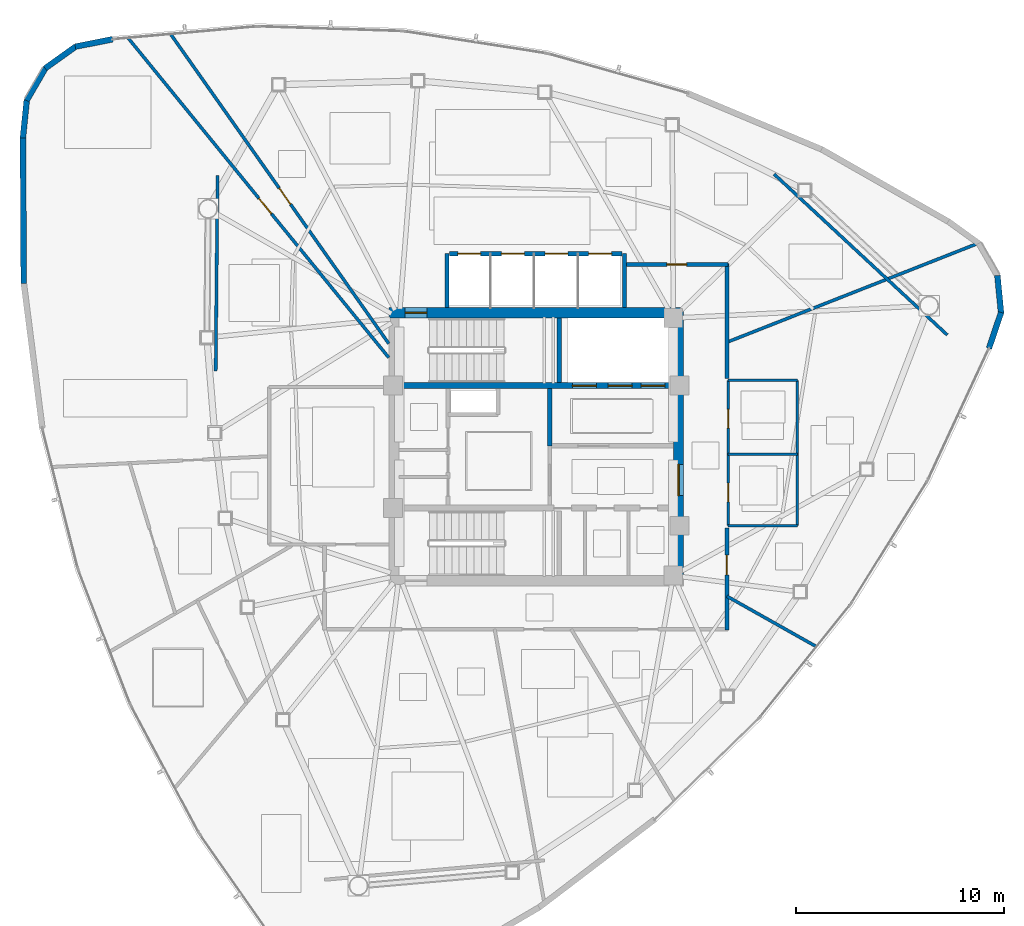
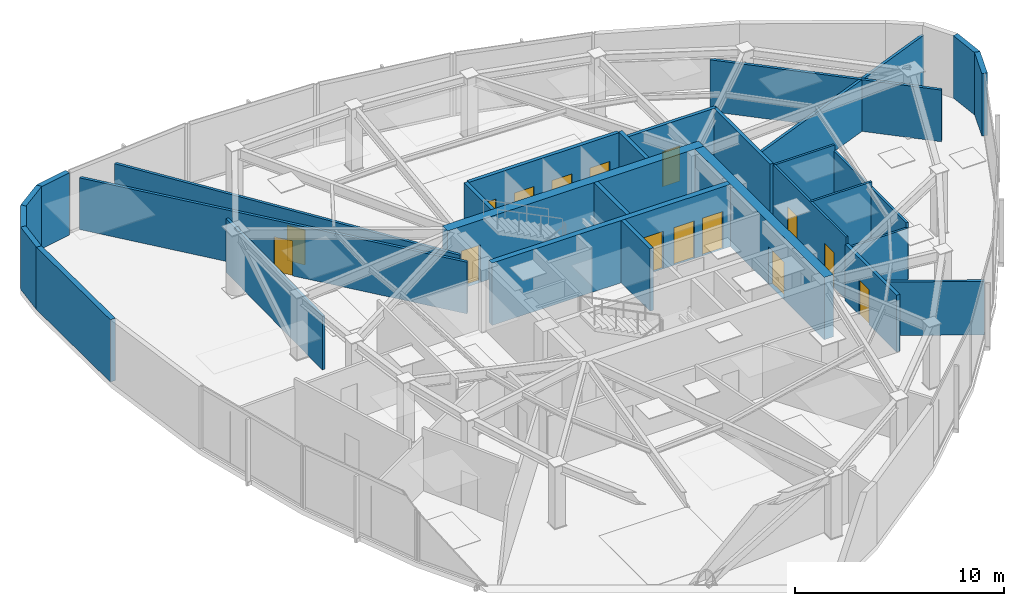
# One storey, part 9 of 13: 29 walls, 15 doors, 15 openings.
"""IFC4 building model written with IfcOpenShell, lengths in metres."""

from ifc_helpers import new_model, si_unit, direction, frame, frame_2d, origin, place, context, subcontext, project, spatial, rectangle, extrude, material, layer, layer_set, type_object, element, fill, save


model = new_model("IFC4")

# Units and contexts
model_context = context("Model", 3, precision=1e-05, world=origin(), true_north=direction((0.0, 1.0)))
body_context = subcontext(model_context, "Body", "Model", "MODEL_VIEW")
ifc_project = project(units=[si_unit("LENGTHUNIT", "METRE"), si_unit("AREAUNIT", "SQUARE_METRE"), si_unit("VOLUMEUNIT", "CUBIC_METRE"), si_unit("PLANEANGLEUNIT", "RADIAN"), si_unit("MASSUNIT", "GRAM", prefix="KILO")], contexts=[model_context])

# Site, building, storey
site_placement = place(None, origin())
site = spatial("IfcSite", under=ifc_project, at=site_placement, CompositionType="ELEMENT")
building_placement = place(site_placement, origin())
building = spatial("IfcBuilding", under=site, at=building_placement, Name="Tavelor Broadcast Tower", CompositionType="ELEMENT")
storey_placement = place(building_placement, frame((0.0, 0.0, 241.89990234375)))
storey = spatial("IfcBuildingStorey", under=building, at=storey_placement, Name="L57", CompositionType="ELEMENT", Elevation=241.89990234375)

# Wall, opening, door
ifc_material_1 = material(Name="Concrete C50/60", Category="concrete")
ifc_layer_1 = layer(ifc_material_1, 0.5)
ifc_layer_set_1 = layer_set([ifc_layer_1], Name="Concrete C50/60")
wall_type_1 = type_object("IfcWallType", Name="Core Shear Wall 500 mm", PredefinedType="SHEAR", material=ifc_layer_set_1)
wall_1_placement = place(storey_placement, frame((42.89990234375, 51.449951171875, 0.0), z_axis=(0.0, 0.0, 1.0), x_axis=(1.0, 0.0, 0.0)))
wall_1 = element("IfcWall", 1, at=wall_1_placement, inside=storey, type_object=wall_type_1, Name="L57 Central Core Shear Wall N", PredefinedType="SHEAR", context=body_context, shape_type="SweptSolid", body=[
    extrude(rectangle(XDim=14.2001953125, YDim=0.5, at=frame_2d((7.10009765625, 0.0))), origin(), (0.0, 0.0, 1.0), 3.650146484375),
])
opening_1_placement = place(wall_1_placement, frame((0.780029296875, 0.0, 0.0)))
opening_1 = element("IfcOpeningElement", 2, at=opening_1_placement, cuts=wall_1, Name="Opening DR11", PredefinedType="OPENING", context=body_context, shape_type="SweptSolid", body=[
    extrude(rectangle(XDim=1.050048828125, YDim=2.199951171875, at=frame_2d((0.52490234375, 1.10009765625))), frame((0.0, 0.260009765625, 0.0), z_axis=(0.0, -1.0, 0.0), x_axis=(1.0, 0.0, 0.0)), (0.0, 0.0, 1.0), 0.52001953125),
])
ifc_material_2 = material(Name="Steel S355", Category="steel")
door_type_1 = type_object("IfcDoorType", Name="Stair Core Fire Escape Door 1050x2200", OperationType="NOTDEFINED", PredefinedType="DOOR", material=ifc_material_2)
door_1_placement = place(opening_1_placement, origin())
door_1 = element("IfcDoor", 3, at=door_1_placement, inside=storey, type_object=door_type_1, Name="L57 Stair ST1 Protected Exit Door", OperationType="SINGLE_SWING_LEFT", OverallHeight=2.199951171875, OverallWidth=1.050048828125, PredefinedType="DOOR", context=body_context, shape_type="SweptSolid", body=[
    extrude(rectangle(XDim=1.050048828125, YDim=2.199951171875, at=frame_2d((0.52490234375, 1.10009765625))), frame((0.0, 0.02490234375, 0.0), z_axis=(0.0, -1.0, 0.0), x_axis=(1.0, 0.0, 0.0)), (0.0, 0.0, 1.0), 0.050048828125),
])
fill(opening_1, door_1)

wall_2_placement = place(storey_placement, frame((56.85009765625, 38.800048828125, 0.0), z_axis=(0.0, 0.0, 1.0), x_axis=(0.0, 1.0, 0.0)))
wall_2 = element("IfcWall", 4, at=wall_2_placement, inside=storey, type_object=wall_type_1, Name="L57 Central Core Shear Wall E", PredefinedType="SHEAR", context=body_context, shape_type="SweptSolid", body=[
    extrude(rectangle(XDim=12.39990234375, YDim=0.5, at=frame_2d((6.199951171875, 0.0))), origin(), (0.0, 0.0, 1.0), 3.650146484375),
])
opening_2_placement = place(wall_2_placement, frame((3.85009765625, 0.0, 0.0)))
opening_2 = element("IfcOpeningElement", 5, at=opening_2_placement, cuts=wall_2, Name="Opening DR14", PredefinedType="OPENING", context=body_context, shape_type="SweptSolid", body=[
    extrude(rectangle(XDim=1.5, YDim=2.199951171875, at=frame_2d((0.75, 1.10009765625))), frame((0.0, 0.260009765625, 0.0), z_axis=(0.0, -1.0, 0.0), x_axis=(1.0, 0.0, 0.0)), (0.0, 0.0, 1.0), 0.52001953125),
])
door_type_2 = type_object("IfcDoorType", Name="Firefighting Lobby Double Fire Door 1500x2200", OperationType="NOTDEFINED", PredefinedType="DOOR", material=ifc_material_2)
door_2_placement = place(opening_2_placement, origin())
door_2 = element("IfcDoor", 6, at=door_2_placement, inside=storey, type_object=door_type_2, Name="L57 Central Core Lobby Fire Door", OperationType="SINGLE_SWING_RIGHT", OverallHeight=2.199951171875, OverallWidth=1.5, PredefinedType="DOOR", context=body_context, shape_type="SweptSolid", body=[
    extrude(rectangle(XDim=1.5, YDim=2.199951171875, at=frame_2d((0.75, 1.10009765625))), frame((0.0, 0.02490234375, 0.0), z_axis=(0.0, -1.0, 0.0), x_axis=(1.0, 0.0, 0.0)), (0.0, 0.0, 1.0), 0.050048828125),
])
fill(opening_2, door_2)

# Wall, openings, doors
ifc_layer_2 = layer(ifc_material_1, 0.300048828125)
ifc_layer_set_2 = layer_set([ifc_layer_2], Name="Concrete C50/60")
wall_type_2 = type_object("IfcWallType", Name="Core Spine Shear Wall 300 mm C50", PredefinedType="SHEAR", material=ifc_layer_set_2)
wall_3_placement = place(storey_placement, frame((43.39990234375, 47.949951171875, 0.0), z_axis=(0.0, 0.0, 1.0), x_axis=(1.0, 0.0, 0.0)))
wall_3 = element("IfcWall", 7, at=wall_3_placement, inside=storey, type_object=wall_type_2, Name="L57 Central Core Shear Wall SP1", PredefinedType="SHEAR", context=body_context, shape_type="SweptSolid", body=[
    extrude(rectangle(XDim=13.2001953125, YDim=0.300048828125, at=frame_2d((6.60009765625, 0.0))), origin(), (0.0, 0.0, 1.0), 3.650146484375),
])
opening_3_placement = place(wall_3_placement, frame((8.344970703125, 0.0, 0.0)))
opening_3 = element("IfcOpeningElement", 8, at=opening_3_placement, cuts=wall_3, Name="Opening LD02", PredefinedType="OPENING", context=body_context, shape_type="SweptSolid", body=[
    extrude(rectangle(XDim=1.14990234375, YDim=2.199951171875, at=frame_2d((0.574951171875, 1.10009765625))), frame((0.0, 0.16015625, 0.0), z_axis=(0.0, -1.0, 0.0), x_axis=(1.0, 0.0, 0.0)), (0.0, 0.0, 1.0), 0.320068359375),
])
opening_4_placement = place(wall_3_placement, frame((10.06494140625, 0.0, 0.0)))
opening_4 = element("IfcOpeningElement", 9, at=opening_4_placement, cuts=wall_3, Name="Opening LD02", PredefinedType="OPENING", context=body_context, shape_type="SweptSolid", body=[
    extrude(rectangle(XDim=1.14990234375, YDim=2.199951171875, at=frame_2d((0.574951171875, 1.10009765625))), frame((0.0, 0.16015625, 0.0), z_axis=(0.0, -1.0, 0.0), x_axis=(1.0, 0.0, 0.0)), (0.0, 0.0, 1.0), 0.320068359375),
])
opening_5_placement = place(wall_3_placement, frame((11.64501953125, 0.0, 0.0)))
opening_5 = element("IfcOpeningElement", 10, at=opening_5_placement, cuts=wall_3, Name="Opening LD03", PredefinedType="OPENING", context=body_context, shape_type="SweptSolid", body=[
    extrude(rectangle(XDim=1.14990234375, YDim=2.199951171875, at=frame_2d((0.574951171875, 1.10009765625))), frame((0.0, 0.16015625, 0.0), z_axis=(0.0, -1.0, 0.0), x_axis=(1.0, 0.0, 0.0)), (0.0, 0.0, 1.0), 0.320068359375),
])
ifc_material_3 = material(Name="Reinforced Brushed Stainless Steel", Category="concrete")
door_type_3 = type_object("IfcDoorType", Name="Broadcast Goods Lift Sliding Landing Door 1250x2200", OperationType="NOTDEFINED", PredefinedType="DOOR", material=ifc_material_3)
door_3_placement = place(opening_5_placement, origin())
door_3 = element("IfcDoor", 11, at=door_3_placement, inside=storey, type_object=door_type_3, Name="L57 Lift SVL1 Sliding Landing Door", OperationType="SLIDING_TO_LEFT", OverallHeight=2.199951171875, OverallWidth=1.14990234375, PredefinedType="DOOR", context=body_context, shape_type="SweptSolid", body=[
    extrude(rectangle(XDim=1.14990234375, YDim=2.199951171875, at=frame_2d((0.574951171875, 1.10009765625))), frame((0.0, 0.02490234375, 0.0), z_axis=(0.0, -1.0, 0.0), x_axis=(1.0, 0.0, 0.0)), (0.0, 0.0, 1.0), 0.050048828125),
])
fill(opening_5, door_3)
ifc_material_4 = material(Name="Fire-Rated Stainless Steel", Category="steel")
door_type_4 = type_object("IfcDoorType", Name="Firefighting Lift Sliding Landing Door 1200x2200", OperationType="NOTDEFINED", PredefinedType="DOOR", material=ifc_material_4)
door_4_placement = place(opening_3_placement, origin())
door_4 = element("IfcDoor", 12, at=door_4_placement, inside=storey, type_object=door_type_4, Name="L57 Lift FFL1 Sliding Landing Door", OperationType="SLIDING_TO_LEFT", OverallHeight=2.199951171875, OverallWidth=1.14990234375, PredefinedType="DOOR", context=body_context, shape_type="SweptSolid", body=[
    extrude(rectangle(XDim=1.14990234375, YDim=2.199951171875, at=frame_2d((0.574951171875, 1.10009765625))), frame((0.0, 0.02490234375, 0.0), z_axis=(0.0, -1.0, 0.0), x_axis=(1.0, 0.0, 0.0)), (0.0, 0.0, 1.0), 0.050048828125),
])
fill(opening_3, door_4)
door_5_placement = place(opening_4_placement, origin())
door_5 = element("IfcDoor", 13, at=door_5_placement, inside=storey, type_object=door_type_4, Name="L57 Lift FFL2 Sliding Landing Door", OperationType="SLIDING_TO_LEFT", OverallHeight=2.199951171875, OverallWidth=1.14990234375, PredefinedType="DOOR", context=body_context, shape_type="SweptSolid", body=[
    extrude(rectangle(XDim=1.14990234375, YDim=2.199951171875, at=frame_2d((0.574951171875, 1.10009765625))), frame((0.0, 0.02490234375, 0.0), z_axis=(0.0, -1.0, 0.0), x_axis=(1.0, 0.0, 0.0)), (0.0, 0.0, 1.0), 0.050048828125),
])
fill(opening_4, door_5)

# Wall, opening, door
ifc_material_5 = material(Name="Calcium Silicate Fire Board 180 mm", Category="gypsum")
ifc_layer_3 = layer(ifc_material_5, 0.179931640625)
ifc_layer_set_3 = layer_set([ifc_layer_3], Name="Calcium Silicate Fire Board 180 mm")
wall_type_3 = type_object("IfcWallType", Name="Fire-Rated Corridor Partition Wall 180 mm", PredefinedType="PARTITIONING", material=ifc_layer_set_3)
wall_4_placement = place(storey_placement, frame((54.300048828125, 53.780029296875, 0.0), z_axis=(0.0, 0.0, 1.0), x_axis=(1.0, 0.0, 0.0)))
wall_4 = element("IfcWall", 14, at=wall_4_placement, inside=storey, type_object=wall_type_3, Name="L57 Corridor Compartment Wall 01", PredefinedType="PARTITIONING", context=body_context, shape_type="SweptSolid", body=[
    extrude(rectangle(XDim=4.929931640625, YDim=0.179931640625, at=frame_2d((2.46484375, 0.0))), origin(), (0.0, 0.0, 1.0), 3.650146484375),
])
opening_6_placement = place(wall_4_placement, frame((1.989990234375, 0.0, 0.0)))
opening_6 = element("IfcOpeningElement", 15, at=opening_6_placement, cuts=wall_4, Name="Opening DR18", PredefinedType="OPENING", context=body_context, shape_type="SweptSolid", body=[
    extrude(rectangle(XDim=0.949951171875, YDim=2.050048828125, at=frame_2d((0.47509765625, 1.02490234375))), frame((0.0, 0.10009765625, 0.0), z_axis=(0.0, -1.0, 0.0), x_axis=(1.0, 0.0, 0.0)), (0.0, 0.0, 1.0), 0.199951171875),
])
ifc_material_6 = material(Name="Timber Solid Core Hardwood", Category="wood")
door_type_5 = type_object("IfcDoorType", Name="Corridor Rated Compartment Door 950x2050", OperationType="NOTDEFINED", PredefinedType="DOOR", material=ifc_material_6)
door_6_placement = place(opening_6_placement, origin())
door_6 = element("IfcDoor", 16, at=door_6_placement, inside=storey, type_object=door_type_5, Name="L57 Broadcast Crew Room Door R7", OperationType="SINGLE_SWING_LEFT", OverallHeight=2.050048828125, OverallWidth=0.949951171875, PredefinedType="DOOR", context=body_context, shape_type="SweptSolid", body=[
    extrude(rectangle(XDim=0.949951171875, YDim=2.050048828125, at=frame_2d((0.47509765625, 1.02490234375))), frame((0.0, 0.02490234375, 0.0), z_axis=(0.0, -1.0, 0.0), x_axis=(1.0, 0.0, 0.0)), (0.0, 0.0, 1.0), 0.050048828125),
])
fill(opening_6, door_6)

# Wall
wall_5_placement = place(storey_placement, frame((59.179931640625, 53.830078125, 0.0), z_axis=(0.0, 0.0, 1.0), x_axis=(0.0, -1.0, 0.0)))
element("IfcWall", 17, at=wall_5_placement, inside=storey, type_object=wall_type_3, Name="L57 Corridor Compartment Wall 02", PredefinedType="PARTITIONING", context=body_context, shape_type="SweptSolid", body=[
    extrude(rectangle(XDim=5.530029296875, YDim=0.179931640625, at=frame_2d((2.76513671875, 0.0))), origin(), (0.0, 0.0, 1.0), 3.650146484375),
])

# Wall, opening, door
wall_6_placement = place(storey_placement, frame((59.179931640625, 41.10009765625, 0.0), z_axis=(0.0, 0.0, 1.0), x_axis=(0.0, -1.0, 0.0)))
wall_6 = element("IfcWall", 18, at=wall_6_placement, inside=storey, type_object=wall_type_3, Name="L57 Corridor Compartment Wall 03", PredefinedType="PARTITIONING", context=body_context, shape_type="SweptSolid", body=[
    extrude(rectangle(XDim=4.93017578125, YDim=0.179931640625, at=frame_2d((2.465087890625, 0.0))), origin(), (0.0, 0.0, 1.0), 3.3251953125),
])
opening_7_placement = place(wall_6_placement, frame((1.315673828125, 0.0, 0.0)))
opening_7 = element("IfcOpeningElement", 19, at=opening_7_placement, cuts=wall_6, Name="Opening DR18", PredefinedType="OPENING", context=body_context, shape_type="SweptSolid", body=[
    extrude(rectangle(XDim=0.949951171875, YDim=2.050048828125, at=frame_2d((0.47509765625, 1.02490234375))), frame((0.0, 0.10009765625, 0.0), z_axis=(0.0, -1.0, 0.0), x_axis=(1.0, 0.0, 0.0)), (0.0, 0.0, 1.0), 0.199951171875),
])
door_7_placement = place(opening_7_placement, origin())
door_7 = element("IfcDoor", 20, at=door_7_placement, inside=storey, type_object=door_type_5, Name="L57 Standards Huddle Room Door R8", OperationType="SINGLE_SWING_RIGHT", OverallHeight=2.050048828125, OverallWidth=0.949951171875, PredefinedType="DOOR", context=body_context, shape_type="SweptSolid", body=[
    extrude(rectangle(XDim=0.949951171875, YDim=2.050048828125, at=frame_2d((0.47509765625, 1.02490234375))), frame((0.0, 0.02490234375, 0.0), z_axis=(0.0, -1.0, 0.0), x_axis=(1.0, 0.0, 0.0)), (0.0, 0.0, 1.0), 0.050048828125),
])
fill(opening_7, door_7)

# Walls
ifc_material_7 = material(Name="Precast Concrete C40/50", Category="concrete")
ifc_layer_4 = layer(ifc_material_7, 0.280029296875)
ifc_layer_set_4 = layer_set([ifc_layer_4], Name="Precast Concrete C40/50")
wall_type_4 = type_object("IfcWallType", Name="Insulated Precast Terracotta Facade Wall 280 mm", PredefinedType="STANDARD", material=ifc_layer_set_4)
wall_7_placement = place(storey_placement, frame((29.595703125, 64.626708984375, 0.0), z_axis=(0.0, 0.0, 1.0), x_axis=(-0.980805882725, -0.194986718555, 0.0)))
element("IfcWall", 21, at=wall_7_placement, inside=storey, type_object=wall_type_4, Name="L57 Rounded Corner Structural Cladding Pier 01", PredefinedType="STANDARD", context=body_context, shape_type="SweptSolid", body=[
    extrude(rectangle(XDim=1.829345703125, YDim=0.280029296875, at=frame_2d((0.91455078125, 0.0))), origin(), (0.0, 0.0, 1.0), 3.650146484375),
])
for number, where, z_axis, x_axis, name in (
    (22, (27.828369140625, 64.281494140625, 0.0), (0.0, 0.0, 1.0), (-0.813570078142, -0.581466876057, 0.0), "L57 Rounded Corner Structural Cladding Pier 02"),
    (23, (26.369384765625, 63.246337890625, 0.0), (0.0, 0.0, 1.0), (-0.502316954602, -0.864683570515, 0.0), "L57 Rounded Corner Structural Cladding Pier 03"),
):
    element("IfcWall", number, at=place(storey_placement, frame(where, z_axis=z_axis, x_axis=x_axis)), inside=storey, type_object=wall_type_4, Name=name, PredefinedType="STANDARD", context=body_context, shape_type="SweptSolid", body=[
        extrude(rectangle(XDim=1.817626953125, YDim=0.280029296875, at=frame_2d((0.90869140625, 0.0))), origin(), (0.0, 0.0, 1.0), 3.650146484375),
    ])
wall_8_placement = place(storey_placement, frame((25.46533203125, 61.702392578125, 0.0), z_axis=(0.0, 0.0, 1.0), x_axis=(-0.102012035418, -0.994783164629, 0.0)))
element("IfcWall", 24, at=wall_8_placement, inside=storey, type_object=wall_type_4, Name="L57 Rounded Corner Structural Cladding Pier 04", PredefinedType="STANDARD", context=body_context, shape_type="SweptSolid", body=[
    extrude(rectangle(XDim=1.84033203125, YDim=0.280029296875, at=frame_2d((0.920166015625, 0.0))), origin(), (0.0, 0.0, 1.0), 3.650146484375),
])
wall_9_placement = place(storey_placement, frame((25.279296875, 59.901611328125, 0.0), z_axis=(0.0, 0.0, 1.0), x_axis=(0.005646300461, -0.999984059519, 0.0)))
element("IfcWall", 25, at=wall_9_placement, inside=storey, type_object=wall_type_4, Name="L57 Rounded Corner Structural Cladding Pier 05", PredefinedType="STANDARD", context=body_context, shape_type="SweptSolid", body=[
    extrude(rectangle(XDim=7.0478515625, YDim=0.280029296875, at=frame_2d((3.52392578125, 0.0))), origin(), (0.0, 0.0, 1.0), 3.650146484375),
])
wall_10_placement = place(storey_placement, frame((71.799560546875, 49.739501953125, 0.0), z_axis=(0.0, 0.0, 1.0), x_axis=(0.321388247225, 0.946947514145, 0.0)))
element("IfcWall", 26, at=wall_10_placement, inside=storey, type_object=wall_type_4, Name="L57 Rounded Corner Structural Cladding Pier 21", PredefinedType="STANDARD", context=body_context, shape_type="SweptSolid", body=[
    extrude(rectangle(XDim=1.8291015625, YDim=0.280029296875, at=frame_2d((0.91455078125, 0.0))), origin(), (0.0, 0.0, 1.0), 3.650146484375),
])
wall_11_placement = place(storey_placement, frame((72.384033203125, 51.442626953125, 0.0), z_axis=(0.0, 0.0, 1.0), x_axis=(-0.096697603656, 0.995313806519, 0.0)))
element("IfcWall", 27, at=wall_11_placement, inside=storey, type_object=wall_type_4, Name="L57 Rounded Corner Structural Cladding Pier 22", PredefinedType="STANDARD", context=body_context, shape_type="SweptSolid", body=[
    extrude(rectangle(XDim=1.81787109375, YDim=0.280029296875, at=frame_2d((0.908935546875, 0.0))), origin(), (0.0, 0.0, 1.0), 3.650146484375),
])
ifc_material_8 = material(Name="Gypsum Acoustic Plasterboard 150 mm", Category="gypsum")
ifc_layer_5 = layer(ifc_material_8, 0.14990234375)
ifc_layer_set_5 = layer_set([ifc_layer_5], Name="Gypsum Acoustic Plasterboard 150 mm")
wall_type_5 = type_object("IfcWallType", Name="Interior Acoustic Partition Wall 150 mm", PredefinedType="PARTITIONING", material=ifc_layer_set_5)
wall_12_placement = place(storey_placement, frame((34.651611328125, 58.0556640625, 0.0), z_axis=(0.0, 0.0, 1.0), x_axis=(-0.009553538759, -0.999954363907, 0.0)))
element("IfcWall", 28, at=wall_12_placement, inside=storey, type_object=wall_type_5, Name="L57 Corner Tube Brace Furring Wall 1", PredefinedType="PARTITIONING", context=body_context, shape_type="SweptSolid", body=[
    extrude(rectangle(XDim=9.404296875, YDim=0.14990234375, at=frame_2d((4.7021484375, 0.0))), origin(), (0.0, 0.0, 1.0), 3.135009765625),
])
wall_13_placement = place(storey_placement, frame((69.79248046875, 50.387939453125, 0.0), z_axis=(0.0, 0.0, 1.0), x_axis=(-0.732769799181, 0.680476613418, 0.0)))
element("IfcWall", 29, at=wall_13_placement, inside=storey, type_object=wall_type_5, Name="L57 Corner Tube Brace Furring Wall 3", PredefinedType="PARTITIONING", context=body_context, shape_type="SweptSolid", body=[
    extrude(rectangle(XDim=11.377685546875, YDim=0.14990234375, at=frame_2d((5.68896484375, 0.0))), origin(), (0.0, 0.0, 1.0), 3.025146484375),
])
wall_14_placement = place(storey_placement, frame((59.179931640625, 50.0341796875, 0.0), z_axis=(0.0, 0.0, 1.0), x_axis=(0.930423685665, 0.366485695701, 0.0)))
element("IfcWall", 30, at=wall_14_placement, inside=storey, type_object=wall_type_5, Name="L57 Radial Compartment Wall 01", PredefinedType="PARTITIONING", context=body_context, shape_type="SweptSolid", body=[
    extrude(rectangle(XDim=13.0322265625, YDim=0.14990234375, at=frame_2d((6.51611328125, 0.0))), origin(), (0.0, 0.0, 1.0), 3.025146484375),
])

# Wall, opening, door
wall_15_placement = place(storey_placement, frame((42.89990234375, 49.9658203125, 0.0), z_axis=(0.0, 0.0, 1.0), x_axis=(-0.576088019717, 0.817387664171, 0.0)))
wall_15 = element("IfcWall", 31, at=wall_15_placement, inside=storey, type_object=wall_type_5, Name="L57 Radial Compartment Wall 02", PredefinedType="PARTITIONING", context=body_context, shape_type="SweptSolid", body=[
    extrude(rectangle(XDim=18.25146484375, YDim=0.14990234375, at=frame_2d((9.125732421875, 0.0))), origin(), (0.0, 0.0, 1.0), 3.025146484375),
])
opening_8_placement = place(wall_15_placement, frame((8.213134765625, 0.0, 0.0)))
opening_8 = element("IfcOpeningElement", 32, at=opening_8_placement, cuts=wall_15, Name="Opening DR18", PredefinedType="OPENING", context=body_context, shape_type="SweptSolid", body=[
    extrude(rectangle(XDim=0.949951171875, YDim=2.050048828125, at=frame_2d((0.47509765625, 1.02490234375))), frame((0.0, 0.0849609375, 0.0), z_axis=(0.0, -1.0, 0.0), x_axis=(1.0, 0.0, 0.0)), (0.0, 0.0, 1.0), 0.169921875),
])
door_8_placement = place(opening_8_placement, origin())
door_8 = element("IfcDoor", 33, at=door_8_placement, inside=storey, type_object=door_type_5, Name="L57 Suite Connecting Door 6", OperationType="SINGLE_SWING_RIGHT", OverallHeight=2.050048828125, OverallWidth=0.949951171875, PredefinedType="DOOR", context=body_context, shape_type="SweptSolid", body=[
    extrude(rectangle(XDim=0.949951171875, YDim=2.050048828125, at=frame_2d((0.47509765625, 1.02490234375))), frame((0.0, 0.02490234375, 0.0), z_axis=(0.0, -1.0, 0.0), x_axis=(1.0, 0.0, 0.0)), (0.0, 0.0, 1.0), 0.050048828125),
])
fill(opening_8, door_8)

wall_16_placement = place(storey_placement, frame((42.89990234375, 49.2919921875, 0.0), z_axis=(0.0, 0.0, 1.0), x_axis=(-0.63196588554, 0.774996206128, 0.0)))
wall_16 = element("IfcWall", 34, at=wall_16_placement, inside=storey, type_object=wall_type_5, Name="L57 Radial Compartment Wall 03", PredefinedType="PARTITIONING", context=body_context, shape_type="SweptSolid", body=[
    extrude(rectangle(XDim=19.8837890625, YDim=0.14990234375, at=frame_2d((9.94189453125, 0.0))), origin(), (0.0, 0.0, 1.0), 3.025146484375),
])
opening_9_placement = place(wall_16_placement, frame((8.94775390625, 0.0, 0.0)))
opening_9 = element("IfcOpeningElement", 35, at=opening_9_placement, cuts=wall_16, Name="Opening DR18", PredefinedType="OPENING", context=body_context, shape_type="SweptSolid", body=[
    extrude(rectangle(XDim=0.949951171875, YDim=2.050048828125, at=frame_2d((0.47509765625, 1.02490234375))), frame((0.0, 0.0849609375, 0.0), z_axis=(0.0, -1.0, 0.0), x_axis=(1.0, 0.0, 0.0)), (0.0, 0.0, 1.0), 0.169921875),
])
door_9_placement = place(opening_9_placement, origin())
door_9 = element("IfcDoor", 36, at=door_9_placement, inside=storey, type_object=door_type_5, Name="L57 Suite Connecting Door 5", OperationType="SINGLE_SWING_LEFT", OverallHeight=2.050048828125, OverallWidth=0.949951171875, PredefinedType="DOOR", context=body_context, shape_type="SweptSolid", body=[
    extrude(rectangle(XDim=0.949951171875, YDim=2.050048828125, at=frame_2d((0.47509765625, 1.02490234375))), frame((0.0, 0.02490234375, 0.0), z_axis=(0.0, -1.0, 0.0), x_axis=(1.0, 0.0, 0.0)), (0.0, 0.0, 1.0), 0.050048828125),
])
fill(opening_9, door_9)

# Wall
wall_17_placement = place(storey_placement, frame((59.179931640625, 37.80419921875, 0.0), z_axis=(0.0, 0.0, 1.0), x_axis=(0.871373014064, -0.490621106721, 0.0)))
element("IfcWall", 37, at=wall_17_placement, inside=storey, type_object=wall_type_5, Name="L57 Radial Compartment Wall 09", PredefinedType="PARTITIONING", context=body_context, shape_type="SweptSolid", body=[
    extrude(rectangle(XDim=4.959716796875, YDim=0.14990234375, at=frame_2d((2.47998046875, 0.0))), origin(), (0.0, 0.0, 1.0), 3.135009765625),
])

# Wall, openings, doors
ifc_material_9 = material(Name="Concrete Blockwork 200 mm", Category="masonry")
ifc_layer_6 = layer(ifc_material_9, 0.199951171875)
ifc_layer_set_6 = layer_set([ifc_layer_6], Name="Concrete Blockwork 200 mm")
wall_type_6 = type_object("IfcWallType", Name="Lift Hoistway Rated Front Wall 200 mm", PredefinedType="PARTITIONING", material=ifc_layer_set_6)
wall_18_placement = place(storey_placement, frame((45.820068359375, 54.300048828125, 0.0), z_axis=(0.0, 0.0, 1.0), x_axis=(1.0, 0.0, 0.0)))
wall_18 = element("IfcWall", 38, at=wall_18_placement, inside=storey, type_object=wall_type_6, Name="L57 High-Rise Lift Hoistway Front Wall", PredefinedType="PARTITIONING", context=body_context, shape_type="SweptSolid", body=[
    extrude(rectangle(XDim=8.309814453125, YDim=0.199951171875, at=frame_2d((4.15478515625, 0.0))), origin(), (0.0, 0.0, 1.0), 3.650146484375),
])
opening_10_placement = place(wall_18_placement, frame((0.405029296875, 0.0, 0.0)))
opening_10 = element("IfcOpeningElement", 39, at=opening_10_placement, cuts=wall_18, Name="Opening LD01", PredefinedType="OPENING", context=body_context, shape_type="SweptSolid", body=[
    extrude(rectangle(XDim=1.10009765625, YDim=2.14990234375, at=frame_2d((0.550048828125, 1.074951171875))), frame((0.0, 0.10986328125, 0.0), z_axis=(0.0, -1.0, 0.0), x_axis=(1.0, 0.0, 0.0)), (0.0, 0.0, 1.0), 0.219970703125),
])
opening_11_placement = place(wall_18_placement, frame((2.5048828125, 0.0, 0.0)))
opening_11 = element("IfcOpeningElement", 40, at=opening_11_placement, cuts=wall_18, Name="Opening LD01", PredefinedType="OPENING", context=body_context, shape_type="SweptSolid", body=[
    extrude(rectangle(XDim=1.10009765625, YDim=2.14990234375, at=frame_2d((0.550048828125, 1.074951171875))), frame((0.0, 0.10986328125, 0.0), z_axis=(0.0, -1.0, 0.0), x_axis=(1.0, 0.0, 0.0)), (0.0, 0.0, 1.0), 0.219970703125),
])
opening_12_placement = place(wall_18_placement, frame((4.60498046875, 0.0, 0.0)))
opening_12 = element("IfcOpeningElement", 41, at=opening_12_placement, cuts=wall_18, Name="Opening LD01", PredefinedType="OPENING", context=body_context, shape_type="SweptSolid", body=[
    extrude(rectangle(XDim=1.10009765625, YDim=2.14990234375, at=frame_2d((0.550048828125, 1.074951171875))), frame((0.0, 0.10986328125, 0.0), z_axis=(0.0, -1.0, 0.0), x_axis=(1.0, 0.0, 0.0)), (0.0, 0.0, 1.0), 0.219970703125),
])
opening_13_placement = place(wall_18_placement, frame((6.705078125, 0.0, 0.0)))
opening_13 = element("IfcOpeningElement", 42, at=opening_13_placement, cuts=wall_18, Name="Opening LD01", PredefinedType="OPENING", context=body_context, shape_type="SweptSolid", body=[
    extrude(rectangle(XDim=1.10009765625, YDim=2.14990234375, at=frame_2d((0.550048828125, 1.074951171875))), frame((0.0, 0.10986328125, 0.0), z_axis=(0.0, -1.0, 0.0), x_axis=(1.0, 0.0, 0.0)), (0.0, 0.0, 1.0), 0.219970703125),
])
ifc_material_10 = material(Name="Brushed Stainless Steel", Category="steel")
door_type_6 = type_object("IfcDoorType", Name="Passenger Lift Sliding Landing Door 1100x2150", OperationType="NOTDEFINED", PredefinedType="DOOR", material=ifc_material_10)
door_10_placement = place(opening_10_placement, origin())
door_10 = element("IfcDoor", 43, at=door_10_placement, inside=storey, type_object=door_type_6, Name="L57 Lift PLH1 Sliding Landing Door", OperationType="SLIDING_TO_LEFT", OverallHeight=2.14990234375, OverallWidth=1.10009765625, PredefinedType="DOOR", context=body_context, shape_type="SweptSolid", body=[
    extrude(rectangle(XDim=1.10009765625, YDim=2.14990234375, at=frame_2d((0.550048828125, 1.074951171875))), frame((0.0, 0.02490234375, 0.0), z_axis=(0.0, -1.0, 0.0), x_axis=(1.0, 0.0, 0.0)), (0.0, 0.0, 1.0), 0.050048828125),
])
fill(opening_10, door_10)
door_11_placement = place(opening_11_placement, origin())
door_11 = element("IfcDoor", 44, at=door_11_placement, inside=storey, type_object=door_type_6, Name="L57 Lift PLH2 Sliding Landing Door", OperationType="SLIDING_TO_RIGHT", OverallHeight=2.14990234375, OverallWidth=1.10009765625, PredefinedType="DOOR", context=body_context, shape_type="SweptSolid", body=[
    extrude(rectangle(XDim=1.10009765625, YDim=2.14990234375, at=frame_2d((0.550048828125, 1.074951171875))), frame((0.0, 0.02490234375, 0.0), z_axis=(0.0, -1.0, 0.0), x_axis=(1.0, 0.0, 0.0)), (0.0, 0.0, 1.0), 0.050048828125),
])
fill(opening_11, door_11)
door_12_placement = place(opening_12_placement, origin())
door_12 = element("IfcDoor", 45, at=door_12_placement, inside=storey, type_object=door_type_6, Name="L57 Lift PLH3 Sliding Landing Door", OperationType="SLIDING_TO_LEFT", OverallHeight=2.14990234375, OverallWidth=1.10009765625, PredefinedType="DOOR", context=body_context, shape_type="SweptSolid", body=[
    extrude(rectangle(XDim=1.10009765625, YDim=2.14990234375, at=frame_2d((0.550048828125, 1.074951171875))), frame((0.0, 0.02490234375, 0.0), z_axis=(0.0, -1.0, 0.0), x_axis=(1.0, 0.0, 0.0)), (0.0, 0.0, 1.0), 0.050048828125),
])
fill(opening_12, door_12)
door_13_placement = place(opening_13_placement, origin())
door_13 = element("IfcDoor", 46, at=door_13_placement, inside=storey, type_object=door_type_6, Name="L57 Lift PLH4 Sliding Landing Door", OperationType="SLIDING_TO_RIGHT", OverallHeight=2.14990234375, OverallWidth=1.10009765625, PredefinedType="DOOR", context=body_context, shape_type="SweptSolid", body=[
    extrude(rectangle(XDim=1.10009765625, YDim=2.14990234375, at=frame_2d((0.550048828125, 1.074951171875))), frame((0.0, 0.02490234375, 0.0), z_axis=(0.0, -1.0, 0.0), x_axis=(1.0, 0.0, 0.0)), (0.0, 0.0, 1.0), 0.050048828125),
])
fill(opening_13, door_13)

# Walls
ifc_layer_7 = layer(ifc_material_9, 0.199951171875)
ifc_layer_set_7 = layer_set([ifc_layer_7], Name="Concrete Blockwork 200 mm")
wall_type_7 = type_object("IfcWallType", Name="Lift and Riser Shaft Enclosure Wall 200 mm", PredefinedType="PARTITIONING", material=ifc_layer_set_7)
for number, where, z_axis, x_axis, name in (
    (47, (45.699951171875, 51.699951171875, 0.0), (0.0, 0.0, 1.0), (0.0, 1.0, 0.0), "L57 High-Rise Lift Shaft West Wall"),
    (48, (54.25, 51.699951171875, 0.0), (0.0, 0.0, 1.0), (0.0, 1.0, 0.0), "L57 High-Rise Lift Shaft East Wall"),
):
    element("IfcWall", number, at=place(storey_placement, frame(where, z_axis=z_axis, x_axis=x_axis)), inside=storey, type_object=wall_type_7, Name=name, PredefinedType="PARTITIONING", context=body_context, shape_type="SweptSolid", body=[
        extrude(rectangle(XDim=2.60009765625, YDim=0.199951171875, at=frame_2d((1.300048828125, 0.0))), origin(), (0.0, 0.0, 1.0), 3.650146484375),
    ])
wall_19_placement = place(storey_placement, frame((50.64990234375, 45.050048828125, 0.0), z_axis=(0.0, 0.0, 1.0), x_axis=(0.0, 1.0, 0.0)))
element("IfcWall", 49, at=wall_19_placement, inside=storey, type_object=wall_type_7, Name="L57 Firefighting Lobby West Wall", PredefinedType="PARTITIONING", context=body_context, shape_type="SweptSolid", body=[
    extrude(rectangle(XDim=2.75, YDim=0.199951171875, at=frame_2d((1.375, 0.0))), origin(), (0.0, 0.0, 1.0), 3.650146484375),
])

# Wall, openings, doors
ifc_material_11 = material(Name="Moisture-Resistant Plasterboard 120 mm", Category="gypsum")
ifc_layer_8 = layer(ifc_material_11, 0.1201171875)
ifc_layer_set_8 = layer_set([ifc_layer_8], Name="Moisture-Resistant Plasterboard 120 mm")
wall_type_8 = type_object("IfcWallType", Name="Moisture-Resistant Wet-Room Partition 120 mm", PredefinedType="PARTITIONING", material=ifc_layer_set_8)
wall_20_placement = place(storey_placement, frame((59.239990234375, 41.199951171875, 0.0), z_axis=(0.0, 0.0, 1.0), x_axis=(0.0, 1.0, 0.0)))
wall_20 = element("IfcWall", 50, at=wall_20_placement, inside=storey, type_object=wall_type_8, Name="L57 Floor Washrooms West Wall", PredefinedType="PARTITIONING", context=body_context, shape_type="SweptSolid", body=[
    extrude(rectangle(XDim=7.0, YDim=0.1201171875, at=frame_2d((3.5, 0.0))), origin(), (0.0, 0.0, 1.0), 3.650146484375),
])
opening_14_placement = place(wall_20_placement, frame((1.14990234375, 0.0, 0.0)))
opening_14 = element("IfcOpeningElement", 51, at=opening_14_placement, cuts=wall_20, Name="Opening DR32", PredefinedType="OPENING", context=body_context, shape_type="SweptSolid", body=[
    extrude(rectangle(XDim=0.89990234375, YDim=2.050048828125, at=frame_2d((0.449951171875, 1.02490234375))), frame((0.0, 0.070068359375, 0.0), z_axis=(0.0, -1.0, 0.0), x_axis=(1.0, 0.0, 0.0)), (0.0, 0.0, 1.0), 0.14013671875),
])
opening_15_placement = place(wall_20_placement, frame((4.699951171875, 0.0, 0.0)))
opening_15 = element("IfcOpeningElement", 52, at=opening_15_placement, cuts=wall_20, Name="Opening DR32", PredefinedType="OPENING", context=body_context, shape_type="SweptSolid", body=[
    extrude(rectangle(XDim=0.89990234375, YDim=2.050048828125, at=frame_2d((0.449951171875, 1.02490234375))), frame((0.0, 0.070068359375, 0.0), z_axis=(0.0, -1.0, 0.0), x_axis=(1.0, 0.0, 0.0)), (0.0, 0.0, 1.0), 0.14013671875),
])
door_type_7 = type_object("IfcDoorType", Name="Accessible Washroom Door 900x2050", OperationType="NOTDEFINED", PredefinedType="DOOR", material=ifc_material_6)
door_14_placement = place(opening_14_placement, origin())
door_14 = element("IfcDoor", 53, at=door_14_placement, inside=storey, type_object=door_type_7, Name="L57 Accessible WC Door", OperationType="SINGLE_SWING_LEFT", OverallHeight=2.050048828125, OverallWidth=0.89990234375, PredefinedType="DOOR", context=body_context, shape_type="SweptSolid", body=[
    extrude(rectangle(XDim=0.89990234375, YDim=2.050048828125, at=frame_2d((0.449951171875, 1.02490234375))), frame((0.0, 0.02490234375, 0.0), z_axis=(0.0, -1.0, 0.0), x_axis=(1.0, 0.0, 0.0)), (0.0, 0.0, 1.0), 0.050048828125),
])
fill(opening_14, door_14)
door_15_placement = place(opening_15_placement, origin())
door_15 = element("IfcDoor", 54, at=door_15_placement, inside=storey, type_object=door_type_7, Name="L57 Staff Washroom WC Door", OperationType="SINGLE_SWING_RIGHT", OverallHeight=2.050048828125, OverallWidth=0.89990234375, PredefinedType="DOOR", context=body_context, shape_type="SweptSolid", body=[
    extrude(rectangle(XDim=0.89990234375, YDim=2.050048828125, at=frame_2d((0.449951171875, 1.02490234375))), frame((0.0, 0.02490234375, 0.0), z_axis=(0.0, -1.0, 0.0), x_axis=(1.0, 0.0, 0.0)), (0.0, 0.0, 1.0), 0.050048828125),
])
fill(opening_15, door_15)

# Walls
wall_21_placement = place(storey_placement, frame((59.239990234375, 41.199951171875, 0.0), z_axis=(0.0, 0.0, 1.0), x_axis=(1.0, 0.0, 0.0)))
element("IfcWall", 55, at=wall_21_placement, inside=storey, type_object=wall_type_8, Name="L57 Floor Washrooms South Wall", PredefinedType="PARTITIONING", context=body_context, shape_type="SweptSolid", body=[
    extrude(rectangle(XDim=3.340087890625, YDim=0.1201171875, at=frame_2d((1.669921875, 0.0))), origin(), (0.0, 0.0, 1.0), 3.025146484375),
])
for number, where, z_axis, x_axis, name in (
    (56, (59.239990234375, 44.64990234375, 0.0), (0.0, 0.0, 1.0), (1.0, 0.0, 0.0), "L57 Floor Washrooms Divider Wall"),
    (57, (59.239990234375, 48.199951171875, 0.0), (0.0, 0.0, 1.0), (1.0, 0.0, 0.0), "L57 Floor Washrooms North Wall"),
):
    element("IfcWall", number, at=place(storey_placement, frame(where, z_axis=z_axis, x_axis=x_axis)), inside=storey, type_object=wall_type_8, Name=name, PredefinedType="PARTITIONING", context=body_context, shape_type="SweptSolid", body=[
        extrude(rectangle(XDim=3.340087890625, YDim=0.1201171875, at=frame_2d((1.669921875, 0.0))), origin(), (0.0, 0.0, 1.0), 3.650146484375),
    ])
wall_22_placement = place(storey_placement, frame((62.580078125, 41.199951171875, 0.0), z_axis=(0.0, 0.0, 1.0), x_axis=(0.0, 1.0, 0.0)))
element("IfcWall", 58, at=wall_22_placement, inside=storey, type_object=wall_type_8, Name="L57 Floor Washrooms East Wall", PredefinedType="PARTITIONING", context=body_context, shape_type="SweptSolid", body=[
    extrude(rectangle(XDim=7.0, YDim=0.1201171875, at=frame_2d((3.5, 0.0))), origin(), (0.0, 0.0, 1.0), 3.3251953125),
])
ifc_material_12 = material(Name="Concrete C40/50", Category="concrete")
ifc_layer_9 = layer(ifc_material_12, 0.219970703125)
ifc_layer_set_9 = layer_set([ifc_layer_9], Name="Concrete C40/50")
wall_type_9 = type_object("IfcWallType", Name="Structural Stairwell Shear Wall 220 mm", PredefinedType="SHEAR", material=ifc_layer_set_9)
wall_23_placement = place(storey_placement, frame((51.110107421875, 48.10009765625, 0.0), z_axis=(0.0, 0.0, 1.0), x_axis=(0.0, 1.0, 0.0)))
element("IfcWall", 59, at=wall_23_placement, inside=storey, type_object=wall_type_9, Name="L57 Stair ST1 Structural Shaft Wall", PredefinedType="SHEAR", context=body_context, shape_type="SweptSolid", body=[
    extrude(rectangle(XDim=3.099853515625, YDim=0.219970703125, at=frame_2d((1.5498046875, 0.0))), origin(), (0.0, 0.0, 1.0), 3.650146484375),
])

save(model, "model.ifc")
